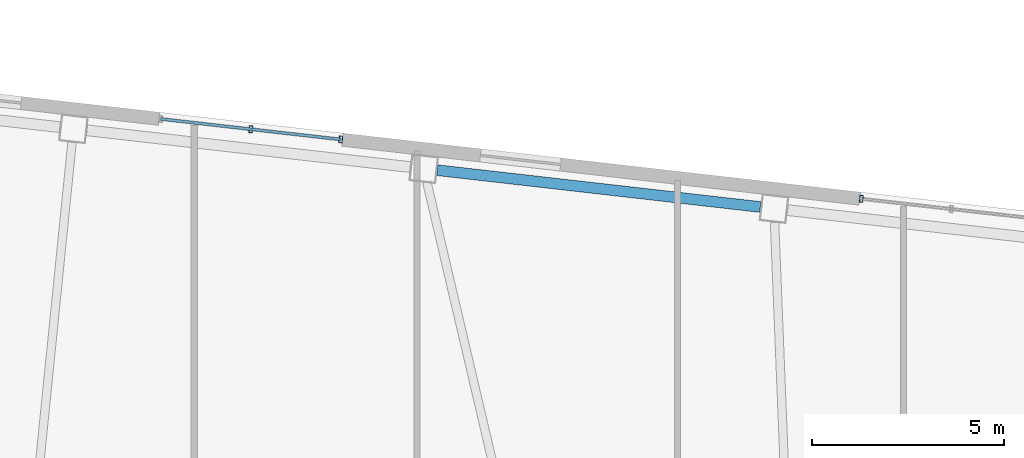
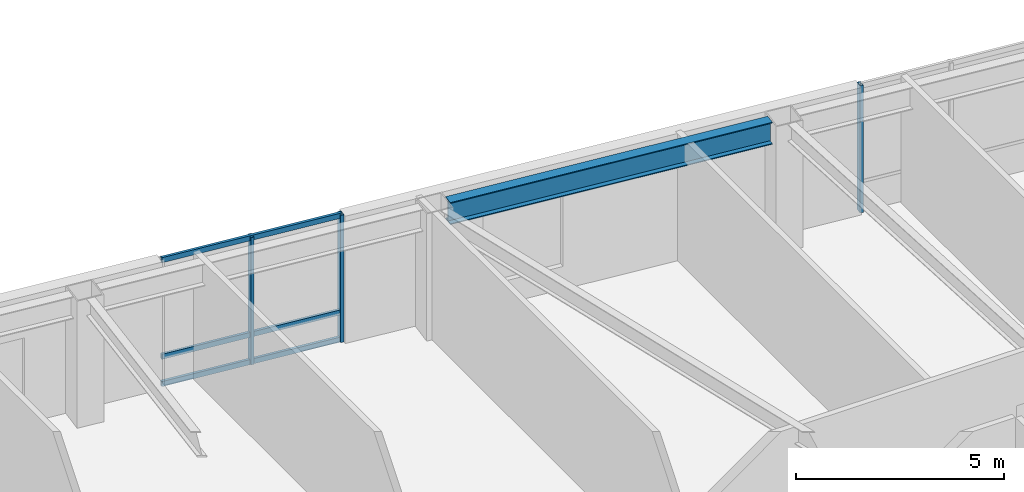
# One storey, part 8 of 21: 6 members, 1 beam, 2 elements without a shape of their own.
"""IFC4 building model written with IfcOpenShell, lengths in metres."""

from ifc_helpers import new_model, si_unit, direction, frame, origin, origin_2d, place, context, subcontext, project, spatial, hollow_rectangle, i_section, extrude, material, layer, layer_set, material_profile, profile_set, type_object, element, aggregate, save


model = new_model("IFC4")

# Units and contexts
model_context = context("Model", 3, precision=1e-05, world=origin(), true_north=direction((0.0, 1.0)))
body_context = subcontext(model_context, "Body", "Model", "MODEL_VIEW")
ifc_project = project(units=[si_unit("LENGTHUNIT", "METRE"), si_unit("AREAUNIT", "SQUARE_METRE"), si_unit("VOLUMEUNIT", "CUBIC_METRE"), si_unit("PLANEANGLEUNIT", "RADIAN"), si_unit("MASSUNIT", "GRAM", prefix="KILO")], contexts=[model_context])

# Site, building, storey
site_placement = place(None, origin())
site = spatial("IfcSite", under=ifc_project, at=site_placement, CompositionType="ELEMENT")
building_placement = place(site_placement, origin())
building = spatial("IfcBuilding", under=site, at=building_placement, Name="Tavrogorsk Clinical Tower", CompositionType="ELEMENT")
storey_placement = place(building_placement, frame((0.0, 0.0, 133.39990234375)))
storey = spatial("IfcBuildingStorey", under=building, at=storey_placement, Name="L30", CompositionType="ELEMENT", Elevation=133.39990234375)

# Curtain wall, members
ifc_material_1 = material(Name="Anodised aluminium and triple IGU glazing", Category="aluminium")
ifc_layer = layer(ifc_material_1, 0.179931640625)
ifc_layer_set = layer_set([ifc_layer], Name="Anodised aluminium and triple IGU glazing")
curtain_wall_type = type_object("IfcCurtainWallType", Name="CW2_NorthSlot", PredefinedType="NOTDEFINED", material=ifc_layer_set)
curtain_wall_1_placement = place(storey_placement, origin())
curtain_wall_1 = element("IfcCurtainWall", 1, at=curtain_wall_1_placement, inside=storey, type_object=curtain_wall_type, Name="L30 Curtain Wall CW-L30-N-SLOT-1", PredefinedType="NOTDEFINED")
ifc_material_2 = material(Name="Anodised aluminium alloy AW-6060", Category="aluminium")
ifc_material_profile_1 = material_profile(ifc_material_2, hollow_rectangle(XDim=0.090087890625, YDim=0.179931640625, WallThickness=0.00634765625, at=origin_2d()), Name="RHS-180x90x6.3")
ifc_profile_set_1 = profile_set([ifc_material_profile_1], Name="Anodised aluminium alloy AW-6060")
member_type_1 = type_object("IfcMemberType", Name="CwMullion_180x90", PredefinedType="MULLION", material=ifc_profile_set_1)
member_1_placement = place(storey_placement, frame((-1.586181640625, 23.443603515625, 0.0), z_axis=(0.0, 0.0, 1.0), x_axis=(-0.993571858269, 0.113203191016, 0.0)))
member_1 = element("IfcMember", 2, at=member_1_placement, type_object=member_type_1, Name="CW-L30-N-SLOT-1 Mullion 1", PredefinedType="MULLION", context=body_context, shape_type="SweptSolid", body=[
    extrude(hollow_rectangle(XDim=0.090087890625, YDim=0.179931640625, WallThickness=0.00634765625, at=origin_2d()), origin(), (0.0, 0.0, 1.0), 3.739990234375),
])
member_2_placement = place(storey_placement, frame((-3.929931640625, 23.71044921875, 0.0), z_axis=(0.0, 0.0, 1.0), x_axis=(-0.993571858269, 0.113203191016, 0.0)))
member_2 = element("IfcMember", 3, at=member_2_placement, type_object=member_type_1, Name="CW-L30-N-SLOT-1 Mullion 2", PredefinedType="MULLION", context=body_context, shape_type="SweptSolid", body=[
    extrude(hollow_rectangle(XDim=0.090087890625, YDim=0.179931640625, WallThickness=0.00634765625, at=origin_2d()), origin(), (0.0, 0.0, 1.0), 3.739990234375),
])

# Curtain wall, member
curtain_wall_2_placement = place(storey_placement, origin())
curtain_wall_2 = element("IfcCurtainWall", 4, at=curtain_wall_2_placement, inside=storey, type_object=curtain_wall_type, Name="L30 Curtain Wall CW-L30-N-SLOT-2", PredefinedType="NOTDEFINED")
member_3_placement = place(storey_placement, frame((11.962646484375, 21.89990234375, 0.0), z_axis=(0.0, 0.0, 1.0), x_axis=(-0.993571855603, 0.11320321441, 0.0)))
member_3 = element("IfcMember", 5, at=member_3_placement, type_object=member_type_1, Name="CW-L30-N-SLOT-2 Mullion 3", PredefinedType="MULLION", context=body_context, shape_type="SweptSolid", body=[
    extrude(hollow_rectangle(XDim=0.090087890625, YDim=0.179931640625, WallThickness=0.00634765625, at=origin_2d()), origin(), (0.0, 0.0, 1.0), 3.739990234375),
])
aggregate(curtain_wall_2, [member_3])

# Member
ifc_material_3 = material(Name="Anodised aluminium alloy AW-6060", Category="aluminium")
ifc_material_profile_2 = material_profile(ifc_material_3, hollow_rectangle(XDim=0.074951171875, YDim=0.14990234375, WallThickness=0.0048828125, at=origin_2d()), Name="RHS-150x75x5")
ifc_profile_set_2 = profile_set([ifc_material_profile_2], Name="Anodised aluminium alloy AW-6060")
member_type_2 = type_object("IfcMemberType", Name="CwTransom_150x75", PredefinedType="USERDEFINED", material=ifc_profile_set_2)
member_4_placement = place(storey_placement, frame((-1.586181640625, 23.443603515625, 0.050048828125), z_axis=(-0.993575136134, 0.11317441785, 0.0), x_axis=(-0.11317441785, -0.993575136134, 0.0)))
member_4 = element("IfcMember", 6, at=member_4_placement, type_object=member_type_2, Name="CW-L30-N-SLOT-1 Transom 1", ObjectType="TRANSOM", PredefinedType="USERDEFINED", context=body_context, shape_type="SweptSolid", body=[
    extrude(hollow_rectangle(XDim=0.074951171875, YDim=0.14990234375, WallThickness=0.0048828125, at=origin_2d()), origin(), (0.0, 0.0, 1.0), 4.7177734375),
])

member_5_placement = place(storey_placement, frame((-1.586181640625, 23.443603515625, 0.85009765625), z_axis=(-0.993575136134, 0.11317441785, 0.0), x_axis=(-0.11317441785, -0.993575136134, 0.0)))
member_5 = element("IfcMember", 7, at=member_5_placement, type_object=member_type_2, Name="CW-L30-N-SLOT-1 Transom 2", ObjectType="TRANSOM", PredefinedType="USERDEFINED", context=body_context, shape_type="SweptSolid", body=[
    extrude(hollow_rectangle(XDim=0.074951171875, YDim=0.14990234375, WallThickness=0.0048828125, at=origin_2d()), origin(), (0.0, 0.0, 1.0), 4.7177734375),
])

member_6_placement = place(storey_placement, frame((-1.586181640625, 23.443603515625, 3.690185546875), z_axis=(-0.993575136134, 0.11317441785, 0.0), x_axis=(-0.11317441785, -0.993575136134, 0.0)))
member_6 = element("IfcMember", 8, at=member_6_placement, type_object=member_type_2, Name="CW-L30-N-SLOT-1 Transom 3", ObjectType="TRANSOM", PredefinedType="USERDEFINED", context=body_context, shape_type="SweptSolid", body=[
    extrude(hollow_rectangle(XDim=0.074951171875, YDim=0.14990234375, WallThickness=0.0048828125, at=origin_2d()), origin(), (0.0, 0.0, 1.0), 4.7177734375),
])

aggregate(curtain_wall_1, [member_1, member_2, member_4, member_5, member_6])

# Beam
ifc_material_4 = material(Name="Structural steel S390", Category="steel")
ifc_material_profile_3 = material_profile(ifc_material_4, i_section(OverallWidth=0.280029296875, OverallDepth=0.64990234375, WebThickness=0.01611328125, FlangeThickness=0.02490234375, at=origin_2d()), Name="B-650x280x16x25")
ifc_profile_set_3 = profile_set([ifc_material_profile_3], Name="Structural steel S390")
beam_type = type_object("IfcBeamType", Name="SpandrelBeam_B650", PredefinedType="SPANDREL", material=ifc_profile_set_3)
beam_placement = place(storey_placement, frame((9.333984375, 21.68603515625, 3.4150390625), z_axis=(-0.99357306506, 0.113192598642, 0.0), x_axis=(-0.113192598642, -0.99357306506, 0.0)))
element("IfcBeam", 9, at=beam_placement, inside=storey, type_object=beam_type, Name="L30 Perimeter Spandrel N4-N5", PredefinedType="SPANDREL", context=body_context, shape_type="SweptSolid", body=[
    extrude(i_section(OverallWidth=0.280029296875, OverallDepth=0.64990234375, WebThickness=0.01611328125, FlangeThickness=0.02490234375, at=origin_2d()), origin(), (0.0, 0.0, 1.0), 8.46142578125),
])

save(model, "model.ifc")
